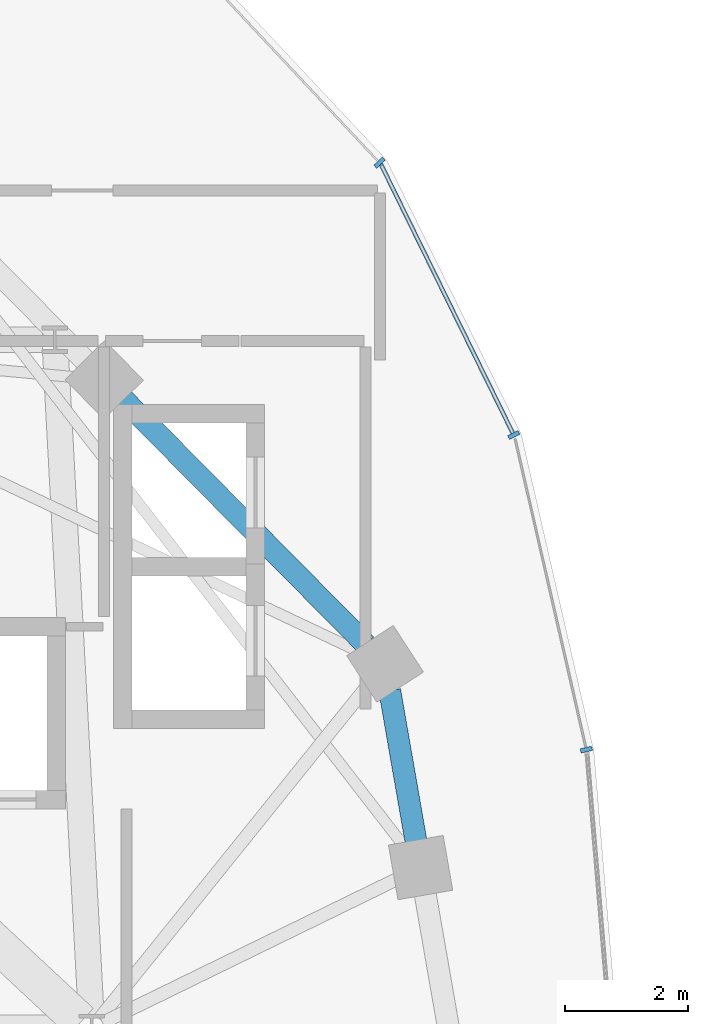
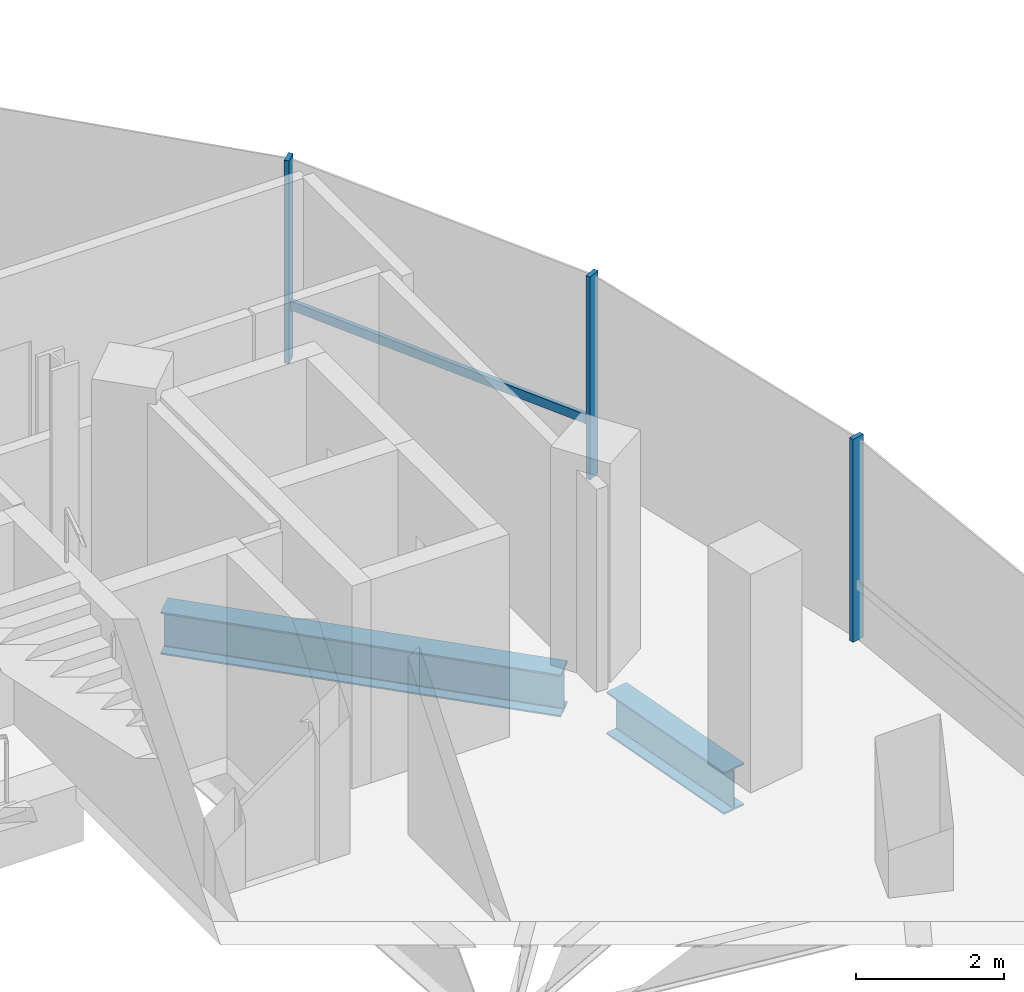
# One storey, part 7 of 25: 4 members, 2 beams, 1 element without a shape of its own.
"""IFC4 building model written with IfcOpenShell, lengths in metres."""

from ifc_helpers import new_model, si_unit, direction, frame, origin, origin_2d, place, context, subcontext, project, spatial, rectangle, i_section, extrude, material, material_profile, profile_set, type_object, element, aggregate, save


model = new_model("IFC4")

# Units and contexts
model_context = context("Model", 3, precision=1e-05, world=origin(), true_north=direction((0.0, 1.0)))
body_context = subcontext(model_context, "Body", "Model", "MODEL_VIEW")
ifc_project = project(units=[si_unit("LENGTHUNIT", "METRE"), si_unit("AREAUNIT", "SQUARE_METRE"), si_unit("VOLUMEUNIT", "CUBIC_METRE"), si_unit("PLANEANGLEUNIT", "RADIAN"), si_unit("MASSUNIT", "GRAM", prefix="KILO"), si_unit("THERMODYNAMICTEMPERATUREUNIT", "KELVIN"), si_unit("POWERUNIT", "WATT")], contexts=[model_context])

# Site, building, storey
site_placement = place(None, origin())
site = spatial("IfcSite", under=ifc_project, at=site_placement, CompositionType="ELEMENT")
building_placement = place(site_placement, origin())
building = spatial("IfcBuilding", under=site, at=building_placement, Name="Cundina Bronze Exchange", CompositionType="ELEMENT")
storey_placement = place(building_placement, frame((0.0, 0.0, 199.0)))
storey = spatial("IfcBuildingStorey", under=building, at=storey_placement, Name="L52", CompositionType="ELEMENT", Elevation=199.0)

# Beams
ifc_material_1 = material(Name="Steel ASTM A992 Grade 50", Category="steel")
ifc_material_profile_1 = material_profile(ifc_material_1, i_section(OverallWidth=0.35498046875, OverallDepth=0.695068359375, WebThickness=0.015380859375, FlangeThickness=0.02490234375, FilletRadius=0.01806640625, at=origin_2d()), Name="W27X146", Category="steel")
ifc_profile_set_1 = profile_set([ifc_material_profile_1], Name="Steel ASTM A992 Grade 50")
beam_type = type_object("IfcBeamType", Name="BM-RING-W27", PredefinedType="USERDEFINED", material=ifc_profile_set_1)
beam_1_placement = place(storey_placement, frame((-16.2001953125, 6.931396484375, -0.607421875), z_axis=(-0.171628556628, 0.985161732179, 0.0), x_axis=(-0.985161732179, -0.171628556628, 0.0)))
element("IfcBeam", 1, at=beam_1_placement, inside=storey, type_object=beam_type, Name="L52 W Perimeter Ring Girder 01", ObjectType="GIRDER", PredefinedType="USERDEFINED", context=body_context, shape_type="SweptSolid", body=[
    extrude(i_section(OverallWidth=0.35498046875, OverallDepth=0.695068359375, WebThickness=0.015380859375, FlangeThickness=0.02490234375, FilletRadius=0.01806640625, at=origin_2d()), origin(), (0.0, 0.0, 1.0), 2.4736328125),
])
beam_2_placement = place(storey_placement, frame((-17.008056640625, 10.111328125, -0.607421875), z_axis=(-0.703211928763, 0.710980297368, 0.0), x_axis=(-0.710980297368, -0.703211928763, 0.0)))
element("IfcBeam", 2, at=beam_2_placement, inside=storey, type_object=beam_type, Name="L52 W Perimeter Ring Girder 02", ObjectType="GIRDER", PredefinedType="USERDEFINED", context=body_context, shape_type="SweptSolid", body=[
    extrude(i_section(OverallWidth=0.35498046875, OverallDepth=0.695068359375, WebThickness=0.015380859375, FlangeThickness=0.02490234375, FilletRadius=0.01806640625, at=origin_2d()), origin(), (0.0, 0.0, 1.0), 5.593994140625),
])

# Curtain wall, members
ifc_material_2 = material(Name="Anodised Bronze Aluminium 6063-T6", Category="aluminium")
curtain_wall_type = type_object("IfcCurtainWallType", Name="CWS-UPP-OFF", PredefinedType="NOTDEFINED", material=ifc_material_2)
curtain_wall_placement = place(storey_placement, origin())
curtain_wall = element("IfcCurtainWall", 3, at=curtain_wall_placement, inside=storey, type_object=curtain_wall_type, Name="L52 CW-05 Curtain Wall Run CWR-L52-W1", PredefinedType="NOTDEFINED")
ifc_material_profile_2 = material_profile(ifc_material_2, rectangle(XDim=0.070068359375, YDim=0.18994140625, at=origin_2d()), Name="AL70X190", Category="aluminium")
ifc_profile_set_2 = profile_set([ifc_material_profile_2], Name="Anodised Bronze Aluminium 6063-T6")
member_type_1 = type_object("IfcMemberType", Name="CWM-MUL-190", PredefinedType="MULLION", material=ifc_profile_set_2)
member_1_placement = place(storey_placement, frame((-13.43994140625, 8.4111328125, 0.0), z_axis=(0.0, 0.0, 1.0), x_axis=(-0.223250116011, 0.974761194191, 0.0)))
member_1 = element("IfcMember", 4, at=member_1_placement, type_object=member_type_1, Name="CW-05 Mullion 2", PredefinedType="MULLION", context=body_context, shape_type="SweptSolid", body=[
    extrude(rectangle(XDim=0.070068359375, YDim=0.18994140625, at=origin_2d()), origin(), (0.0, 0.0, 1.0), 3.340087890625),
])
member_2_placement = place(storey_placement, frame((-14.61572265625, 13.50732421875, 0.0), z_axis=(0.0, 0.0, 1.0), x_axis=(-0.440566004113, 0.897720221461, 0.0)))
member_2 = element("IfcMember", 5, at=member_2_placement, type_object=member_type_1, Name="CW-05 Mullion 3", PredefinedType="MULLION", context=body_context, shape_type="SweptSolid", body=[
    extrude(rectangle(XDim=0.070068359375, YDim=0.18994140625, at=origin_2d()), origin(), (0.0, 0.0, 1.0), 3.340087890625),
])
member_3_placement = place(storey_placement, frame((-16.790283203125, 17.91796875, 0.0), z_axis=(0.0, 0.0, 1.0), x_axis=(-0.684292606175, 0.729207535023, 0.0)))
member_3 = element("IfcMember", 6, at=member_3_placement, type_object=member_type_1, Name="CW-05 Mullion 4", PredefinedType="MULLION", context=body_context, shape_type="SweptSolid", body=[
    extrude(rectangle(XDim=0.070068359375, YDim=0.18994140625, at=origin_2d()), origin(), (0.0, 0.0, 1.0), 3.340087890625),
])
ifc_material_profile_3 = material_profile(ifc_material_2, rectangle(XDim=0.06494140625, YDim=0.14990234375, at=origin_2d()), Name="AL65X150", Category="aluminium")
ifc_profile_set_3 = profile_set([ifc_material_profile_3], Name="Anodised Bronze Aluminium 6063-T6")
member_type_2 = type_object("IfcMemberType", Name="CWM-TRN-150", PredefinedType="USERDEFINED", material=ifc_profile_set_3)
member_4_placement = place(storey_placement, frame((-14.6328125, 13.5419921875, 0.919921875), z_axis=(-0.440483110889, 0.897760897467, 0.0), x_axis=(-0.897760897467, -0.440483110889, 0.0)))
member_4 = element("IfcMember", 7, at=member_4_placement, type_object=member_type_2, Name="CW-05 Spandrel Transom 3", ObjectType="TRANSOM", PredefinedType="USERDEFINED", context=body_context, shape_type="SweptSolid", body=[
    extrude(rectangle(XDim=0.06494140625, YDim=0.14990234375, at=origin_2d()), origin(), (0.0, 0.0, 1.0), 4.855224609375),
])
aggregate(curtain_wall, [member_1, member_2, member_4, member_3])

save(model, "model.ifc")
